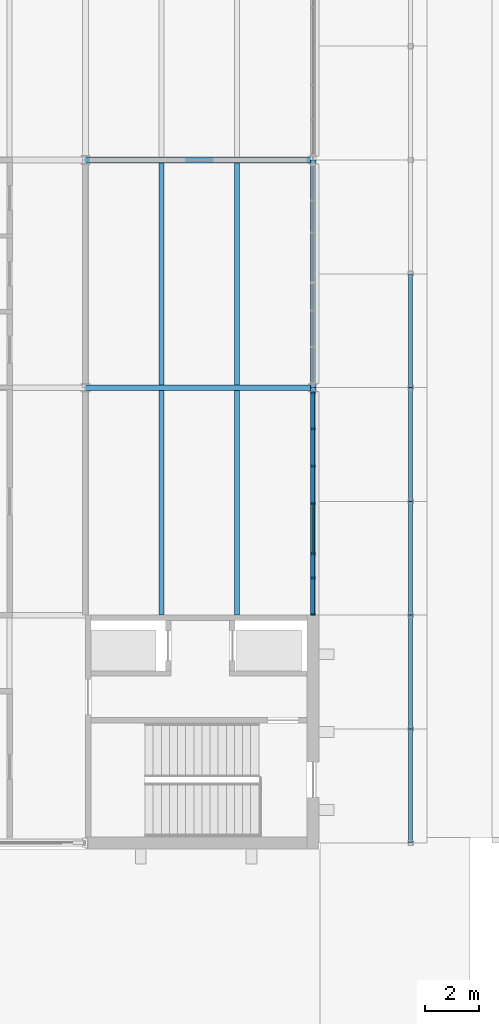
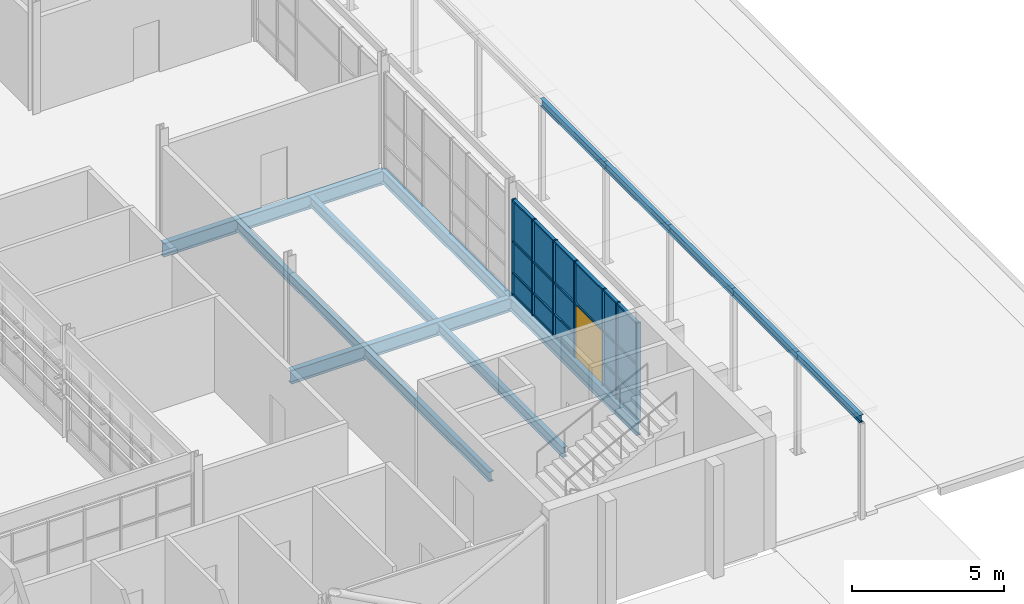
# One storey, part 63 of 116: 29 members, 16 plates, 13 beams, 1 door, 1 opening, 1 element without a shape of its own.
"""IFC4 building model written with IfcOpenShell, lengths in metres."""

from ifc_helpers import new_model, si_unit, direction, frame, frame_2d, origin, origin_2d, place, context, subcontext, project, spatial, rectangle, i_section, extrude, material, layer, layer_set, material_profile, profile_set, type_object, element, fill, aggregate, save


model = new_model("IFC4")

# Units and contexts
model_context = context("Model", 3, precision=1e-05, world=origin(), true_north=direction((0.0, 1.0)))
body_context = subcontext(model_context, "Body", "Model", "MODEL_VIEW")
ifc_project = project(units=[si_unit("LENGTHUNIT", "METRE"), si_unit("AREAUNIT", "SQUARE_METRE"), si_unit("VOLUMEUNIT", "CUBIC_METRE"), si_unit("PLANEANGLEUNIT", "RADIAN"), si_unit("MASSUNIT", "GRAM", prefix="KILO")], contexts=[model_context])

# Site, building, storey
site_placement = place(None, origin())
site = spatial("IfcSite", under=ifc_project, at=site_placement, CompositionType="ELEMENT")
building_placement = place(site_placement, origin())
building = spatial("IfcBuilding", under=site, at=building_placement, Name="Ardhachandra Cancer Care Centre", CompositionType="ELEMENT")
storey_placement = place(building_placement, origin())
storey = spatial("IfcBuildingStorey", under=building, at=storey_placement, Name="L00", CompositionType="ELEMENT", Elevation=0.0)

# Beams
ifc_material_1 = material(Name="Steel E350 (IS 2062)", Category="steel")
ifc_material_profile_1 = material_profile(ifc_material_1, i_section(OverallWidth=0.14990234375, OverallDepth=0.297119140625, WebThickness=0.006103515625, FlangeThickness=0.00927734375, FilletRadius=0.014892578125, at=origin_2d()), Name="NPB 300x150x36.52")
ifc_profile_set_1 = profile_set([ifc_material_profile_1], Name="Steel E350 (IS 2062)")
beam_type_1 = type_object("IfcBeamType", Name="Arcade beam NPB 300x150x36.52", PredefinedType="BEAM", material=ifc_profile_set_1)
beam_1_placement = place(storey_placement, frame((148.800048828125, 29.39990234375, 3.84521484375), z_axis=(0.0, 1.0, 0.0), x_axis=(-1.0, 0.0, 0.0)))
element("IfcBeam", 1, at=beam_1_placement, inside=storey, type_object=beam_type_1, Name="Arcade beam 1", PredefinedType="BEAM", context=body_context, shape_type="SweptSolid", body=[
    extrude(i_section(OverallWidth=0.14990234375, OverallDepth=0.297119140625, WebThickness=0.006103515625, FlangeThickness=0.00927734375, FilletRadius=0.014892578125, at=origin_2d()), origin(), (0.0, 0.0, 1.0), 4.2001953125),
])
for number, where, z_axis, x_axis, name in (
    (2, (148.800048828125, 33.60009765625, 3.84521484375), (0.0, 1.0, 0.0), (-1.0, 0.0, 0.0), "Arcade beam 2"),
    (3, (148.800048828125, 37.800048828125, 3.84521484375), (0.0, 1.0, 0.0), (-1.0, 0.0, 0.0), "Arcade beam 3"),
    (4, (148.800048828125, 42.0, 3.84521484375), (0.0, 1.0, 0.0), (-1.0, 0.0, 0.0), "Arcade beam 4"),
    (5, (148.800048828125, 46.199951171875, 3.84521484375), (0.0, 1.0, 0.0), (-1.0, 0.0, 0.0), "Arcade beam 5"),
):
    element("IfcBeam", number, at=place(storey_placement, frame(where, z_axis=z_axis, x_axis=x_axis)), inside=storey, type_object=beam_type_1, Name=name, PredefinedType="BEAM", context=body_context, shape_type="SweptSolid", body=[
        extrude(i_section(OverallWidth=0.14990234375, OverallDepth=0.297119140625, WebThickness=0.006103515625, FlangeThickness=0.00927734375, FilletRadius=0.014892578125, at=origin_2d()), origin(), (0.0, 0.0, 1.0), 4.199951171875),
    ])
ifc_material_2 = material(Name="Steel E350 (IS 2062)", Category="steel")
ifc_material_profile_2 = material_profile(ifc_material_2, i_section(OverallWidth=0.179931640625, OverallDepth=0.39990234375, WebThickness=0.008544921875, FlangeThickness=0.013427734375, FilletRadius=0.02099609375, at=origin_2d()), Name="NPB 400x180x66.30")
ifc_profile_set_2 = profile_set([ifc_material_profile_2], Name="Steel E350 (IS 2062)")
beam_type_2 = type_object("IfcBeamType", Name="Beam NPB 400x180x66.30", PredefinedType="BEAM", material=ifc_profile_set_2)
beam_2_placement = place(storey_placement, frame((139.60009765625, 37.800048828125, -0.35009765625), z_axis=(0.0, 1.0, 0.0), x_axis=(-1.0, 0.0, 0.0)))
element("IfcBeam", 6, at=beam_2_placement, inside=storey, type_object=beam_type_2, Name="Secondary D16-E16@2800", PredefinedType="BEAM", context=body_context, shape_type="SweptSolid", body=[
    extrude(i_section(OverallWidth=0.179931640625, OverallDepth=0.39990234375, WebThickness=0.008544921875, FlangeThickness=0.013427734375, FilletRadius=0.02099609375, at=origin_2d()), origin(), (0.0, 0.0, 1.0), 8.294921875),
])
beam_3_placement = place(storey_placement, frame((139.60009765625, 46.304931640625, -0.35009765625), z_axis=(0.0, 1.0, 0.0), x_axis=(-1.0, 0.0, 0.0)))
element("IfcBeam", 7, at=beam_3_placement, inside=storey, type_object=beam_type_2, Name="Secondary E16-F16@2800", PredefinedType="BEAM", context=body_context, shape_type="SweptSolid", body=[
    extrude(i_section(OverallWidth=0.179931640625, OverallDepth=0.39990234375, WebThickness=0.008544921875, FlangeThickness=0.013427734375, FilletRadius=0.02099609375, at=origin_2d()), origin(), (0.0, 0.0, 1.0), 8.190185546875),
])
beam_4_placement = place(storey_placement, frame((142.39990234375, 37.800048828125, -0.35009765625), z_axis=(0.0, 1.0, 0.0), x_axis=(-1.0, 0.0, 0.0)))
element("IfcBeam", 8, at=beam_4_placement, inside=storey, type_object=beam_type_2, Name="Secondary D16-E16@5600", PredefinedType="BEAM", context=body_context, shape_type="SweptSolid", body=[
    extrude(i_section(OverallWidth=0.179931640625, OverallDepth=0.39990234375, WebThickness=0.008544921875, FlangeThickness=0.013427734375, FilletRadius=0.02099609375, at=origin_2d()), origin(), (0.0, 0.0, 1.0), 8.294921875),
])
beam_5_placement = place(storey_placement, frame((142.39990234375, 46.304931640625, -0.35009765625), z_axis=(0.0, 1.0, 0.0), x_axis=(-1.0, 0.0, 0.0)))
element("IfcBeam", 9, at=beam_5_placement, inside=storey, type_object=beam_type_2, Name="Secondary E16-F16@5600", PredefinedType="BEAM", context=body_context, shape_type="SweptSolid", body=[
    extrude(i_section(OverallWidth=0.179931640625, OverallDepth=0.39990234375, WebThickness=0.008544921875, FlangeThickness=0.013427734375, FilletRadius=0.02099609375, at=origin_2d()), origin(), (0.0, 0.0, 1.0), 8.190185546875),
])
ifc_material_3 = material(Name="Steel E350 (IS 2062)", Category="steel")
ifc_material_profile_3 = material_profile(ifc_material_3, i_section(OverallWidth=0.199951171875, OverallDepth=0.5, WebThickness=0.01025390625, FlangeThickness=0.01611328125, FilletRadius=0.02099609375, at=origin_2d()), Name="NPB 500x200x90.68")
ifc_profile_set_3 = profile_set([ifc_material_profile_3], Name="Steel E350 (IS 2062)")
beam_type_3 = type_object("IfcBeamType", Name="Beam NPB 500x200x90.68", PredefinedType="BEAM", material=ifc_profile_set_3)
beam_6_placement = place(storey_placement, frame((145.199951171875, 37.800048828125, -0.39990234375), z_axis=(0.0, 1.0, 0.0), x_axis=(-1.0, 0.0, 0.0)))
element("IfcBeam", 10, at=beam_6_placement, inside=storey, type_object=beam_type_3, Name="Edge girder D17-E17", PredefinedType="BEAM", context=body_context, shape_type="SweptSolid", body=[
    extrude(i_section(OverallWidth=0.199951171875, OverallDepth=0.5, WebThickness=0.01025390625, FlangeThickness=0.01611328125, FilletRadius=0.02099609375, at=origin_2d()), origin(), (0.0, 0.0, 1.0), 8.39990234375),
])
beam_7_placement = place(storey_placement, frame((145.199951171875, 46.199951171875, -0.39990234375), z_axis=(0.0, 1.0, 0.0), x_axis=(-1.0, 0.0, 0.0)))
element("IfcBeam", 11, at=beam_7_placement, inside=storey, type_object=beam_type_3, Name="Edge girder E17-F17", PredefinedType="BEAM", context=body_context, shape_type="SweptSolid", body=[
    extrude(i_section(OverallWidth=0.199951171875, OverallDepth=0.5, WebThickness=0.01025390625, FlangeThickness=0.01611328125, FilletRadius=0.02099609375, at=origin_2d()), origin(), (0.0, 0.0, 1.0), 8.400146484375),
])
ifc_material_4 = material(Name="Steel E350 (IS 2062)", Category="steel")
ifc_material_profile_4 = material_profile(ifc_material_4, i_section(OverallWidth=0.2099609375, OverallDepth=0.550048828125, WebThickness=0.010986328125, FlangeThickness=0.01708984375, FilletRadius=0.02392578125, at=origin_2d()), Name="NPB 550x210x105.52")
ifc_profile_set_4 = profile_set([ifc_material_profile_4], Name="Steel E350 (IS 2062)")
beam_type_4 = type_object("IfcBeamType", Name="Beam NPB 550x210x105.52", PredefinedType="BEAM", material=ifc_profile_set_4)
for number, where, z_axis, x_axis, name in (
    (12, (136.800048828125, 46.199951171875, -0.425048828125), (1.0, 0.0, 0.0), (0.0, 1.0, 0.0), "Girder E16-E17"),
    (13, (136.800048828125, 54.60009765625, -0.425048828125), (1.0, 0.0, 0.0), (0.0, 1.0, 0.0), "Girder F16-F17"),
):
    element("IfcBeam", number, at=place(storey_placement, frame(where, z_axis=z_axis, x_axis=x_axis)), inside=storey, type_object=beam_type_4, Name=name, PredefinedType="BEAM", context=body_context, shape_type="SweptSolid", body=[
        extrude(i_section(OverallWidth=0.2099609375, OverallDepth=0.550048828125, WebThickness=0.010986328125, FlangeThickness=0.01708984375, FilletRadius=0.02392578125, at=origin_2d()), origin(), (0.0, 0.0, 1.0), 8.39990234375),
    ])

# Curtain wall, opening, members, plates, door
ifc_material_5 = material(Name="Aluminium extrusion", Category="aluminium")
ifc_layer_1 = layer(ifc_material_5, 0.14990234375)
ifc_layer_set_1 = layer_set([ifc_layer_1], Name="Aluminium extrusion")
curtain_wall_type = type_object("IfcCurtainWallType", Name="Curtain wall run", PredefinedType="NOTDEFINED", material=ifc_layer_set_1)
curtain_wall_placement = place(storey_placement, frame((145.199951171875, 37.800048828125, 0.0), z_axis=(0.0, 0.0, 1.0), x_axis=(0.0, 1.0, 0.0)))
curtain_wall = element("IfcCurtainWall", 14, at=curtain_wall_placement, inside=storey, type_object=curtain_wall_type, Name="Curtain wall L00 e/0145200_0037800", PredefinedType="NOTDEFINED")
opening_placement = place(curtain_wall_placement, frame((2.300048828125, 0.0, 0.0)))
opening = element("IfcOpeningElement", 15, at=opening_placement, cuts=curtain_wall, Name="Opening L00-X01", PredefinedType="OPENING", context=body_context, shape_type="SweptSolid", body=[
    extrude(rectangle(XDim=1.800048828125, YDim=2.10009765625, at=frame_2d((0.89990234375, 1.050048828125))), frame((0.0, 0.0849609375, 0.0), z_axis=(0.0, -1.0, 0.0), x_axis=(1.0, 0.0, 0.0)), (0.0, 0.0, 1.0), 0.169921875),
])
ifc_material_6 = material(Name="Aluminium extrusion", Category="aluminium")
ifc_material_profile_5 = material_profile(ifc_material_6, rectangle(XDim=0.159912109375, YDim=0.06005859375, at=origin_2d()), Name="Curtain wall mullion 60 x 160")
ifc_profile_set_5 = profile_set([ifc_material_profile_5], Name="Aluminium extrusion")
member_type_1 = type_object("IfcMemberType", Name="Curtain wall mullion 60 x 160", PredefinedType="MULLION", material=ifc_profile_set_5)
member_1_placement = place(storey_placement, frame((145.199951171875, 37.830078125, 0.0), z_axis=(0.0, 0.0, 1.0), x_axis=(-1.0, 0.0, 0.0)))
member_1 = element("IfcMember", 16, at=member_1_placement, type_object=member_type_1, Name="CW mullion 1", PredefinedType="MULLION", context=body_context, shape_type="SweptSolid", body=[
    extrude(rectangle(XDim=0.159912109375, YDim=0.06005859375, at=origin_2d()), origin(), (0.0, 0.0, 1.0), 3.85009765625),
])
member_2_placement = place(storey_placement, frame((145.199951171875, 39.17578125, 0.0), z_axis=(0.0, 0.0, 1.0), x_axis=(-1.0, 0.0, 0.0)))
member_2 = element("IfcMember", 17, at=member_2_placement, type_object=member_type_1, Name="CW mullion 2", PredefinedType="MULLION", context=body_context, shape_type="SweptSolid", body=[
    extrude(rectangle(XDim=0.159912109375, YDim=0.06005859375, at=origin_2d()), origin(), (0.0, 0.0, 1.0), 3.85009765625),
])
member_3_placement = place(storey_placement, frame((145.199951171875, 40.070068359375, 0.0), z_axis=(0.0, 0.0, 1.0), x_axis=(-1.0, 0.0, 0.0)))
member_3 = element("IfcMember", 18, at=member_3_placement, type_object=member_type_1, Name="CW mullion 3", PredefinedType="MULLION", context=body_context, shape_type="SweptSolid", body=[
    extrude(rectangle(XDim=0.159912109375, YDim=0.06005859375, at=origin_2d()), origin(), (0.0, 0.0, 1.0), 3.85009765625),
])
member_4_placement = place(storey_placement, frame((145.199951171875, 41.929931640625, 0.0), z_axis=(0.0, 0.0, 1.0), x_axis=(-1.0, 0.0, 0.0)))
member_4 = element("IfcMember", 19, at=member_4_placement, type_object=member_type_1, Name="CW mullion 4", PredefinedType="MULLION", context=body_context, shape_type="SweptSolid", body=[
    extrude(rectangle(XDim=0.159912109375, YDim=0.06005859375, at=origin_2d()), origin(), (0.0, 0.0, 1.0), 3.85009765625),
])
member_5_placement = place(storey_placement, frame((145.199951171875, 43.30322265625, 0.0), z_axis=(0.0, 0.0, 1.0), x_axis=(-1.0, 0.0, 0.0)))
member_5 = element("IfcMember", 20, at=member_5_placement, type_object=member_type_1, Name="CW mullion 5", PredefinedType="MULLION", context=body_context, shape_type="SweptSolid", body=[
    extrude(rectangle(XDim=0.159912109375, YDim=0.06005859375, at=origin_2d()), origin(), (0.0, 0.0, 1.0), 3.85009765625),
])
member_6_placement = place(storey_placement, frame((145.199951171875, 44.67919921875, 0.0), z_axis=(0.0, 0.0, 1.0), x_axis=(-1.0, 0.0, 0.0)))
member_6 = element("IfcMember", 21, at=member_6_placement, type_object=member_type_1, Name="CW mullion 6", PredefinedType="MULLION", context=body_context, shape_type="SweptSolid", body=[
    extrude(rectangle(XDim=0.159912109375, YDim=0.06005859375, at=origin_2d()), origin(), (0.0, 0.0, 1.0), 3.85009765625),
])
member_7_placement = place(storey_placement, frame((145.199951171875, 46.02490234375, 0.0), z_axis=(0.0, 0.0, 1.0), x_axis=(-1.0, 0.0, 0.0)))
member_7 = element("IfcMember", 22, at=member_7_placement, type_object=member_type_1, Name="CW mullion 7", PredefinedType="MULLION", context=body_context, shape_type="SweptSolid", body=[
    extrude(rectangle(XDim=0.159912109375, YDim=0.06005859375, at=origin_2d()), origin(), (0.0, 0.0, 1.0), 3.85009765625),
])
ifc_material_7 = material(Name="Aluminium extrusion", Category="aluminium")
ifc_material_profile_6 = material_profile(ifc_material_7, rectangle(XDim=0.1201171875, YDim=0.06005859375, at=origin_2d()), Name="Curtain wall transom 60 x 120")
ifc_profile_set_6 = profile_set([ifc_material_profile_6], Name="Aluminium extrusion")
member_type_2 = type_object("IfcMemberType", Name="Curtain wall transom 60 x 120", PredefinedType="USERDEFINED", material=ifc_profile_set_6)
member_8_placement = place(storey_placement, frame((145.199951171875, 37.860107421875, 0.030029296875), z_axis=(0.0, 1.0, 0.0), x_axis=(-1.0, 0.0, 0.0)))
member_8 = element("IfcMember", 23, at=member_8_placement, type_object=member_type_2, Name="CW transom 1.1", ObjectType="TRANSOM", PredefinedType="USERDEFINED", context=body_context, shape_type="SweptSolid", body=[
    extrude(rectangle(XDim=0.1201171875, YDim=0.06005859375, at=origin_2d()), origin(), (0.0, 0.0, 1.0), 1.28564453125),
])
member_9_placement = place(storey_placement, frame((145.199951171875, 37.860107421875, 0.89990234375), z_axis=(0.0, 1.0, 0.0), x_axis=(-1.0, 0.0, 0.0)))
member_9 = element("IfcMember", 24, at=member_9_placement, type_object=member_type_2, Name="CW transom 1.2", ObjectType="TRANSOM", PredefinedType="USERDEFINED", context=body_context, shape_type="SweptSolid", body=[
    extrude(rectangle(XDim=0.1201171875, YDim=0.06005859375, at=origin_2d()), origin(), (0.0, 0.0, 1.0), 1.28564453125),
])
member_10_placement = place(storey_placement, frame((145.199951171875, 37.860107421875, 2.159912109375), z_axis=(0.0, 1.0, 0.0), x_axis=(-1.0, 0.0, 0.0)))
member_10 = element("IfcMember", 25, at=member_10_placement, type_object=member_type_2, Name="CW transom 1.3", ObjectType="TRANSOM", PredefinedType="USERDEFINED", context=body_context, shape_type="SweptSolid", body=[
    extrude(rectangle(XDim=0.1201171875, YDim=0.06005859375, at=origin_2d()), origin(), (0.0, 0.0, 1.0), 1.28564453125),
])
member_11_placement = place(storey_placement, frame((145.199951171875, 37.860107421875, 3.820068359375), z_axis=(0.0, 1.0, 0.0), x_axis=(-1.0, 0.0, 0.0)))
member_11 = element("IfcMember", 26, at=member_11_placement, type_object=member_type_2, Name="CW transom 1.4", ObjectType="TRANSOM", PredefinedType="USERDEFINED", context=body_context, shape_type="SweptSolid", body=[
    extrude(rectangle(XDim=0.1201171875, YDim=0.06005859375, at=origin_2d()), origin(), (0.0, 0.0, 1.0), 1.28564453125),
])
member_12_placement = place(storey_placement, frame((145.199951171875, 39.205810546875, 0.030029296875), z_axis=(0.0, 1.0, 0.0), x_axis=(-1.0, 0.0, 0.0)))
member_12 = element("IfcMember", 27, at=member_12_placement, type_object=member_type_2, Name="CW transom 2.1", ObjectType="TRANSOM", PredefinedType="USERDEFINED", context=body_context, shape_type="SweptSolid", body=[
    extrude(rectangle(XDim=0.1201171875, YDim=0.06005859375, at=origin_2d()), origin(), (0.0, 0.0, 1.0), 0.834228515625),
])
member_13_placement = place(storey_placement, frame((145.199951171875, 39.205810546875, 0.89990234375), z_axis=(0.0, 1.0, 0.0), x_axis=(-1.0, 0.0, 0.0)))
member_13 = element("IfcMember", 28, at=member_13_placement, type_object=member_type_2, Name="CW transom 2.2", ObjectType="TRANSOM", PredefinedType="USERDEFINED", context=body_context, shape_type="SweptSolid", body=[
    extrude(rectangle(XDim=0.1201171875, YDim=0.06005859375, at=origin_2d()), origin(), (0.0, 0.0, 1.0), 0.834228515625),
])
member_14_placement = place(storey_placement, frame((145.199951171875, 39.205810546875, 2.159912109375), z_axis=(0.0, 1.0, 0.0), x_axis=(-1.0, 0.0, 0.0)))
member_14 = element("IfcMember", 29, at=member_14_placement, type_object=member_type_2, Name="CW transom 2.3", ObjectType="TRANSOM", PredefinedType="USERDEFINED", context=body_context, shape_type="SweptSolid", body=[
    extrude(rectangle(XDim=0.1201171875, YDim=0.06005859375, at=origin_2d()), origin(), (0.0, 0.0, 1.0), 0.834228515625),
])
member_15_placement = place(storey_placement, frame((145.199951171875, 39.205810546875, 3.820068359375), z_axis=(0.0, 1.0, 0.0), x_axis=(-1.0, 0.0, 0.0)))
member_15 = element("IfcMember", 30, at=member_15_placement, type_object=member_type_2, Name="CW transom 2.4", ObjectType="TRANSOM", PredefinedType="USERDEFINED", context=body_context, shape_type="SweptSolid", body=[
    extrude(rectangle(XDim=0.1201171875, YDim=0.06005859375, at=origin_2d()), origin(), (0.0, 0.0, 1.0), 0.834228515625),
])
member_16_placement = place(storey_placement, frame((145.199951171875, 40.10009765625, 2.159912109375), z_axis=(0.0, 1.0, 0.0), x_axis=(-1.0, 0.0, 0.0)))
member_16 = element("IfcMember", 31, at=member_16_placement, type_object=member_type_2, Name="CW transom 3.1", ObjectType="TRANSOM", PredefinedType="USERDEFINED", context=body_context, shape_type="SweptSolid", body=[
    extrude(rectangle(XDim=0.1201171875, YDim=0.06005859375, at=origin_2d()), origin(), (0.0, 0.0, 1.0), 1.7998046875),
])
member_17_placement = place(storey_placement, frame((145.199951171875, 40.10009765625, 3.820068359375), z_axis=(0.0, 1.0, 0.0), x_axis=(-1.0, 0.0, 0.0)))
member_17 = element("IfcMember", 32, at=member_17_placement, type_object=member_type_2, Name="CW transom 3.2", ObjectType="TRANSOM", PredefinedType="USERDEFINED", context=body_context, shape_type="SweptSolid", body=[
    extrude(rectangle(XDim=0.1201171875, YDim=0.06005859375, at=origin_2d()), origin(), (0.0, 0.0, 1.0), 1.7998046875),
])
member_18_placement = place(storey_placement, frame((145.199951171875, 41.9599609375, 0.030029296875), z_axis=(0.0, 1.0, 0.0), x_axis=(-1.0, 0.0, 0.0)))
member_18 = element("IfcMember", 33, at=member_18_placement, type_object=member_type_2, Name="CW transom 4.1", ObjectType="TRANSOM", PredefinedType="USERDEFINED", context=body_context, shape_type="SweptSolid", body=[
    extrude(rectangle(XDim=0.1201171875, YDim=0.06005859375, at=origin_2d()), origin(), (0.0, 0.0, 1.0), 1.313232421875),
])
member_19_placement = place(storey_placement, frame((145.199951171875, 41.9599609375, 0.89990234375), z_axis=(0.0, 1.0, 0.0), x_axis=(-1.0, 0.0, 0.0)))
member_19 = element("IfcMember", 34, at=member_19_placement, type_object=member_type_2, Name="CW transom 4.2", ObjectType="TRANSOM", PredefinedType="USERDEFINED", context=body_context, shape_type="SweptSolid", body=[
    extrude(rectangle(XDim=0.1201171875, YDim=0.06005859375, at=origin_2d()), origin(), (0.0, 0.0, 1.0), 1.313232421875),
])
member_20_placement = place(storey_placement, frame((145.199951171875, 41.9599609375, 2.159912109375), z_axis=(0.0, 1.0, 0.0), x_axis=(-1.0, 0.0, 0.0)))
member_20 = element("IfcMember", 35, at=member_20_placement, type_object=member_type_2, Name="CW transom 4.3", ObjectType="TRANSOM", PredefinedType="USERDEFINED", context=body_context, shape_type="SweptSolid", body=[
    extrude(rectangle(XDim=0.1201171875, YDim=0.06005859375, at=origin_2d()), origin(), (0.0, 0.0, 1.0), 1.313232421875),
])
member_21_placement = place(storey_placement, frame((145.199951171875, 41.9599609375, 3.820068359375), z_axis=(0.0, 1.0, 0.0), x_axis=(-1.0, 0.0, 0.0)))
member_21 = element("IfcMember", 36, at=member_21_placement, type_object=member_type_2, Name="CW transom 4.4", ObjectType="TRANSOM", PredefinedType="USERDEFINED", context=body_context, shape_type="SweptSolid", body=[
    extrude(rectangle(XDim=0.1201171875, YDim=0.06005859375, at=origin_2d()), origin(), (0.0, 0.0, 1.0), 1.313232421875),
])
member_22_placement = place(storey_placement, frame((145.199951171875, 43.333251953125, 0.030029296875), z_axis=(0.0, 1.0, 0.0), x_axis=(-1.0, 0.0, 0.0)))
member_22 = element("IfcMember", 37, at=member_22_placement, type_object=member_type_2, Name="CW transom 5.1", ObjectType="TRANSOM", PredefinedType="USERDEFINED", context=body_context, shape_type="SweptSolid", body=[
    extrude(rectangle(XDim=0.1201171875, YDim=0.06005859375, at=origin_2d()), origin(), (0.0, 0.0, 1.0), 1.31591796875),
])
member_23_placement = place(storey_placement, frame((145.199951171875, 43.333251953125, 0.89990234375), z_axis=(0.0, 1.0, 0.0), x_axis=(-1.0, 0.0, 0.0)))
member_23 = element("IfcMember", 38, at=member_23_placement, type_object=member_type_2, Name="CW transom 5.2", ObjectType="TRANSOM", PredefinedType="USERDEFINED", context=body_context, shape_type="SweptSolid", body=[
    extrude(rectangle(XDim=0.1201171875, YDim=0.06005859375, at=origin_2d()), origin(), (0.0, 0.0, 1.0), 1.31591796875),
])
member_24_placement = place(storey_placement, frame((145.199951171875, 43.333251953125, 2.159912109375), z_axis=(0.0, 1.0, 0.0), x_axis=(-1.0, 0.0, 0.0)))
member_24 = element("IfcMember", 39, at=member_24_placement, type_object=member_type_2, Name="CW transom 5.3", ObjectType="TRANSOM", PredefinedType="USERDEFINED", context=body_context, shape_type="SweptSolid", body=[
    extrude(rectangle(XDim=0.1201171875, YDim=0.06005859375, at=origin_2d()), origin(), (0.0, 0.0, 1.0), 1.31591796875),
])
member_25_placement = place(storey_placement, frame((145.199951171875, 43.333251953125, 3.820068359375), z_axis=(0.0, 1.0, 0.0), x_axis=(-1.0, 0.0, 0.0)))
member_25 = element("IfcMember", 40, at=member_25_placement, type_object=member_type_2, Name="CW transom 5.4", ObjectType="TRANSOM", PredefinedType="USERDEFINED", context=body_context, shape_type="SweptSolid", body=[
    extrude(rectangle(XDim=0.1201171875, YDim=0.06005859375, at=origin_2d()), origin(), (0.0, 0.0, 1.0), 1.31591796875),
])
member_26_placement = place(storey_placement, frame((145.199951171875, 44.709228515625, 0.030029296875), z_axis=(0.0, 1.0, 0.0), x_axis=(-1.0, 0.0, 0.0)))
member_26 = element("IfcMember", 41, at=member_26_placement, type_object=member_type_2, Name="CW transom 6.1", ObjectType="TRANSOM", PredefinedType="USERDEFINED", context=body_context, shape_type="SweptSolid", body=[
    extrude(rectangle(XDim=0.1201171875, YDim=0.06005859375, at=origin_2d()), origin(), (0.0, 0.0, 1.0), 1.285888671875),
])
member_27_placement = place(storey_placement, frame((145.199951171875, 44.709228515625, 0.89990234375), z_axis=(0.0, 1.0, 0.0), x_axis=(-1.0, 0.0, 0.0)))
member_27 = element("IfcMember", 42, at=member_27_placement, type_object=member_type_2, Name="CW transom 6.2", ObjectType="TRANSOM", PredefinedType="USERDEFINED", context=body_context, shape_type="SweptSolid", body=[
    extrude(rectangle(XDim=0.1201171875, YDim=0.06005859375, at=origin_2d()), origin(), (0.0, 0.0, 1.0), 1.285888671875),
])
member_28_placement = place(storey_placement, frame((145.199951171875, 44.709228515625, 2.159912109375), z_axis=(0.0, 1.0, 0.0), x_axis=(-1.0, 0.0, 0.0)))
member_28 = element("IfcMember", 43, at=member_28_placement, type_object=member_type_2, Name="CW transom 6.3", ObjectType="TRANSOM", PredefinedType="USERDEFINED", context=body_context, shape_type="SweptSolid", body=[
    extrude(rectangle(XDim=0.1201171875, YDim=0.06005859375, at=origin_2d()), origin(), (0.0, 0.0, 1.0), 1.285888671875),
])
member_29_placement = place(storey_placement, frame((145.199951171875, 44.709228515625, 3.820068359375), z_axis=(0.0, 1.0, 0.0), x_axis=(-1.0, 0.0, 0.0)))
member_29 = element("IfcMember", 44, at=member_29_placement, type_object=member_type_2, Name="CW transom 6.4", ObjectType="TRANSOM", PredefinedType="USERDEFINED", context=body_context, shape_type="SweptSolid", body=[
    extrude(rectangle(XDim=0.1201171875, YDim=0.06005859375, at=origin_2d()), origin(), (0.0, 0.0, 1.0), 1.285888671875),
])
ifc_material_8 = material(Name="Low-iron double-glazed unit")
ifc_layer_2 = layer(ifc_material_8, 0.028076171875)
ifc_layer_set_2 = layer_set([ifc_layer_2], Name="Low-iron double-glazed unit")
plate_type_1 = type_object("IfcPlateType", Name="Curtain wall glazing 28", PredefinedType="CURTAIN_PANEL", material=ifc_layer_set_2)
plate_1_placement = place(storey_placement, frame((145.199951171875, 38.5029296875, 0.93017578125), z_axis=(0.0, 0.0, 1.0), x_axis=(0.0, 1.0, 0.0)))
plate_1 = element("IfcPlate", 45, at=plate_1_placement, type_object=plate_type_1, Name="CW panel 1.2", PredefinedType="CURTAIN_PANEL", context=body_context, shape_type="SweptSolid", body=[
    extrude(rectangle(XDim=1.285888671875, YDim=0.028076171875, at=origin_2d()), origin(), (0.0, 0.0, 1.0), 1.199951171875),
])
plate_2_placement = place(storey_placement, frame((145.199951171875, 38.5029296875, 2.18994140625), z_axis=(0.0, 0.0, 1.0), x_axis=(0.0, 1.0, 0.0)))
plate_2 = element("IfcPlate", 46, at=plate_2_placement, type_object=plate_type_1, Name="CW panel 1.3", PredefinedType="CURTAIN_PANEL", context=body_context, shape_type="SweptSolid", body=[
    extrude(rectangle(XDim=1.285888671875, YDim=0.028076171875, at=origin_2d()), origin(), (0.0, 0.0, 1.0), 1.60009765625),
])
plate_3_placement = place(storey_placement, frame((145.199951171875, 39.622802734375, 0.93017578125), z_axis=(0.0, 0.0, 1.0), x_axis=(0.0, 1.0, 0.0)))
plate_3 = element("IfcPlate", 47, at=plate_3_placement, type_object=plate_type_1, Name="CW panel 2.2", PredefinedType="CURTAIN_PANEL", context=body_context, shape_type="SweptSolid", body=[
    extrude(rectangle(XDim=0.834228515625, YDim=0.028076171875, at=origin_2d()), origin(), (0.0, 0.0, 1.0), 1.199951171875),
])
plate_4_placement = place(storey_placement, frame((145.199951171875, 39.622802734375, 2.18994140625), z_axis=(0.0, 0.0, 1.0), x_axis=(0.0, 1.0, 0.0)))
plate_4 = element("IfcPlate", 48, at=plate_4_placement, type_object=plate_type_1, Name="CW panel 2.3", PredefinedType="CURTAIN_PANEL", context=body_context, shape_type="SweptSolid", body=[
    extrude(rectangle(XDim=0.834228515625, YDim=0.028076171875, at=origin_2d()), origin(), (0.0, 0.0, 1.0), 1.60009765625),
])
plate_5_placement = place(storey_placement, frame((145.199951171875, 41.0, 2.18994140625), z_axis=(0.0, 0.0, 1.0), x_axis=(0.0, 1.0, 0.0)))
plate_5 = element("IfcPlate", 49, at=plate_5_placement, type_object=plate_type_1, Name="CW panel 3.1", PredefinedType="CURTAIN_PANEL", context=body_context, shape_type="SweptSolid", body=[
    extrude(rectangle(XDim=1.800048828125, YDim=0.028076171875, at=origin_2d()), origin(), (0.0, 0.0, 1.0), 1.60009765625),
])
plate_6_placement = place(storey_placement, frame((145.199951171875, 42.61669921875, 0.93017578125), z_axis=(0.0, 0.0, 1.0), x_axis=(0.0, 1.0, 0.0)))
plate_6 = element("IfcPlate", 50, at=plate_6_placement, type_object=plate_type_1, Name="CW panel 4.2", PredefinedType="CURTAIN_PANEL", context=body_context, shape_type="SweptSolid", body=[
    extrude(rectangle(XDim=1.313232421875, YDim=0.028076171875, at=origin_2d()), origin(), (0.0, 0.0, 1.0), 1.199951171875),
])
plate_7_placement = place(storey_placement, frame((145.199951171875, 42.61669921875, 2.18994140625), z_axis=(0.0, 0.0, 1.0), x_axis=(0.0, 1.0, 0.0)))
plate_7 = element("IfcPlate", 51, at=plate_7_placement, type_object=plate_type_1, Name="CW panel 4.3", PredefinedType="CURTAIN_PANEL", context=body_context, shape_type="SweptSolid", body=[
    extrude(rectangle(XDim=1.313232421875, YDim=0.028076171875, at=origin_2d()), origin(), (0.0, 0.0, 1.0), 1.60009765625),
])
plate_8_placement = place(storey_placement, frame((145.199951171875, 43.9912109375, 0.93017578125), z_axis=(0.0, 0.0, 1.0), x_axis=(0.0, 1.0, 0.0)))
plate_8 = element("IfcPlate", 52, at=plate_8_placement, type_object=plate_type_1, Name="CW panel 5.2", PredefinedType="CURTAIN_PANEL", context=body_context, shape_type="SweptSolid", body=[
    extrude(rectangle(XDim=1.31591796875, YDim=0.028076171875, at=origin_2d()), origin(), (0.0, 0.0, 1.0), 1.199951171875),
])
plate_9_placement = place(storey_placement, frame((145.199951171875, 43.9912109375, 2.18994140625), z_axis=(0.0, 0.0, 1.0), x_axis=(0.0, 1.0, 0.0)))
plate_9 = element("IfcPlate", 53, at=plate_9_placement, type_object=plate_type_1, Name="CW panel 5.3", PredefinedType="CURTAIN_PANEL", context=body_context, shape_type="SweptSolid", body=[
    extrude(rectangle(XDim=1.31591796875, YDim=0.028076171875, at=origin_2d()), origin(), (0.0, 0.0, 1.0), 1.60009765625),
])
plate_10_placement = place(storey_placement, frame((145.199951171875, 45.35205078125, 0.93017578125), z_axis=(0.0, 0.0, 1.0), x_axis=(0.0, 1.0, 0.0)))
plate_10 = element("IfcPlate", 54, at=plate_10_placement, type_object=plate_type_1, Name="CW panel 6.2", PredefinedType="CURTAIN_PANEL", context=body_context, shape_type="SweptSolid", body=[
    extrude(rectangle(XDim=1.285888671875, YDim=0.028076171875, at=origin_2d()), origin(), (0.0, 0.0, 1.0), 1.199951171875),
])
plate_11_placement = place(storey_placement, frame((145.199951171875, 45.35205078125, 2.18994140625), z_axis=(0.0, 0.0, 1.0), x_axis=(0.0, 1.0, 0.0)))
plate_11 = element("IfcPlate", 55, at=plate_11_placement, type_object=plate_type_1, Name="CW panel 6.3", PredefinedType="CURTAIN_PANEL", context=body_context, shape_type="SweptSolid", body=[
    extrude(rectangle(XDim=1.285888671875, YDim=0.028076171875, at=origin_2d()), origin(), (0.0, 0.0, 1.0), 1.60009765625),
])
ifc_material_9 = material(Name="Aluminium composite spandrel panel", Category="aluminium")
ifc_layer_3 = layer(ifc_material_9, 0.028076171875)
ifc_layer_set_3 = layer_set([ifc_layer_3], Name="Aluminium composite spandrel panel")
plate_type_2 = type_object("IfcPlateType", Name="Curtain wall spandrel panel 28", PredefinedType="CURTAIN_PANEL", material=ifc_layer_set_3)
plate_12_placement = place(storey_placement, frame((145.199951171875, 38.5029296875, 0.06005859375), z_axis=(0.0, 0.0, 1.0), x_axis=(0.0, 1.0, 0.0)))
plate_12 = element("IfcPlate", 56, at=plate_12_placement, type_object=plate_type_2, Name="CW panel 1.1", PredefinedType="CURTAIN_PANEL", context=body_context, shape_type="SweptSolid", body=[
    extrude(rectangle(XDim=1.285888671875, YDim=0.028076171875, at=origin_2d()), origin(), (0.0, 0.0, 1.0), 0.81005859375),
])
plate_13_placement = place(storey_placement, frame((145.199951171875, 39.622802734375, 0.06005859375), z_axis=(0.0, 0.0, 1.0), x_axis=(0.0, 1.0, 0.0)))
plate_13 = element("IfcPlate", 57, at=plate_13_placement, type_object=plate_type_2, Name="CW panel 2.1", PredefinedType="CURTAIN_PANEL", context=body_context, shape_type="SweptSolid", body=[
    extrude(rectangle(XDim=0.834228515625, YDim=0.028076171875, at=origin_2d()), origin(), (0.0, 0.0, 1.0), 0.81005859375),
])
plate_14_placement = place(storey_placement, frame((145.199951171875, 42.61669921875, 0.06005859375), z_axis=(0.0, 0.0, 1.0), x_axis=(0.0, 1.0, 0.0)))
plate_14 = element("IfcPlate", 58, at=plate_14_placement, type_object=plate_type_2, Name="CW panel 4.1", PredefinedType="CURTAIN_PANEL", context=body_context, shape_type="SweptSolid", body=[
    extrude(rectangle(XDim=1.313232421875, YDim=0.028076171875, at=origin_2d()), origin(), (0.0, 0.0, 1.0), 0.81005859375),
])
plate_15_placement = place(storey_placement, frame((145.199951171875, 43.9912109375, 0.06005859375), z_axis=(0.0, 0.0, 1.0), x_axis=(0.0, 1.0, 0.0)))
plate_15 = element("IfcPlate", 59, at=plate_15_placement, type_object=plate_type_2, Name="CW panel 5.1", PredefinedType="CURTAIN_PANEL", context=body_context, shape_type="SweptSolid", body=[
    extrude(rectangle(XDim=1.31591796875, YDim=0.028076171875, at=origin_2d()), origin(), (0.0, 0.0, 1.0), 0.81005859375),
])
plate_16_placement = place(storey_placement, frame((145.199951171875, 45.35205078125, 0.06005859375), z_axis=(0.0, 0.0, 1.0), x_axis=(0.0, 1.0, 0.0)))
plate_16 = element("IfcPlate", 60, at=plate_16_placement, type_object=plate_type_2, Name="CW panel 6.1", PredefinedType="CURTAIN_PANEL", context=body_context, shape_type="SweptSolid", body=[
    extrude(rectangle(XDim=1.285888671875, YDim=0.028076171875, at=origin_2d()), origin(), (0.0, 0.0, 1.0), 0.81005859375),
])
aggregate(curtain_wall, [member_1, member_2, member_3, member_4, member_5, member_6, member_7, member_8, member_9, member_10, member_11, plate_12, plate_1, plate_2, member_12, member_13, member_14, member_15, plate_13, plate_3, plate_4, member_16, member_17, plate_5, member_18, member_19, member_20, member_21, plate_14, plate_6, plate_7, member_22, member_23, member_24, member_25, plate_15, plate_8, plate_9, member_26, member_27, member_28, member_29, plate_16, plate_10, plate_11])
ifc_material_10 = material(Name="Hollow steel door set with fire-rated infill", Category="steel")
door_type = type_object("IfcDoorType", Name="Exit door pair 1800 x 2100", OperationType="DOUBLE_DOOR_SINGLE_SWING", PredefinedType="DOOR", material=ifc_material_10)
door_placement = place(opening_placement, origin())
door = element("IfcDoor", 61, at=door_placement, inside=storey, type_object=door_type, Name="Cafe North East Exit Door L00-X01", OperationType="SINGLE_SWING_LEFT", OverallHeight=2.10009765625, OverallWidth=1.800048828125, PredefinedType="DOOR", context=body_context, shape_type="SweptSolid", body=[
    extrude(rectangle(XDim=1.800048828125, YDim=2.10009765625, at=frame_2d((0.89990234375, 1.050048828125))), frame((0.0, 0.02490234375, 0.0), z_axis=(0.0, -1.0, 0.0), x_axis=(1.0, 0.0, 0.0)), (0.0, 0.0, 1.0), 0.050048828125),
])
fill(opening, door)

save(model, "model.ifc")
